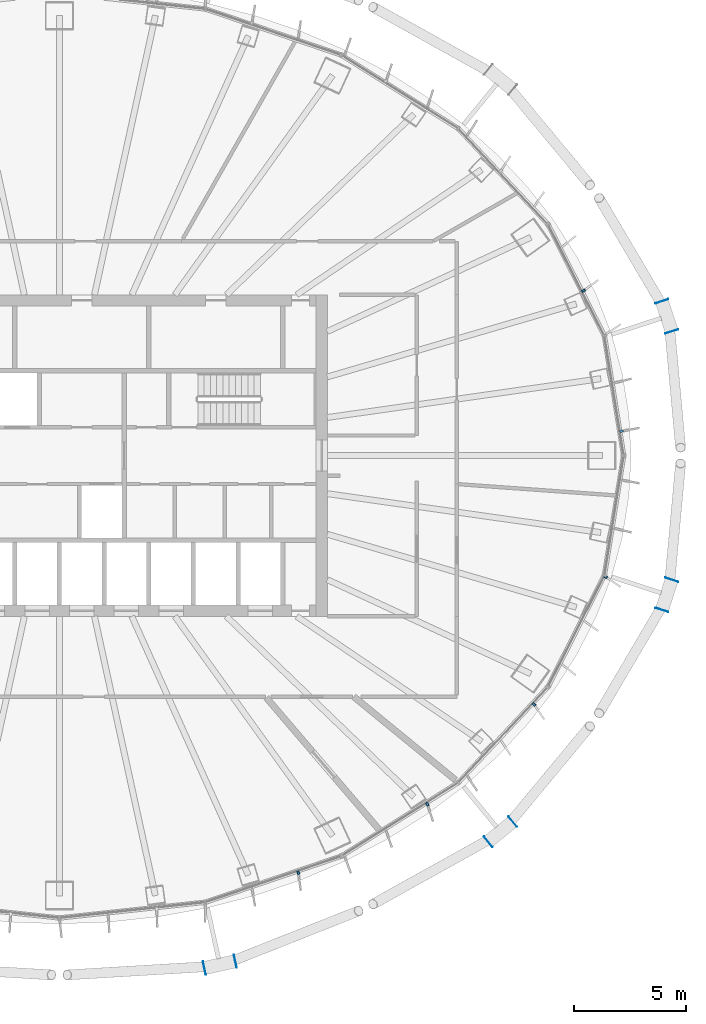
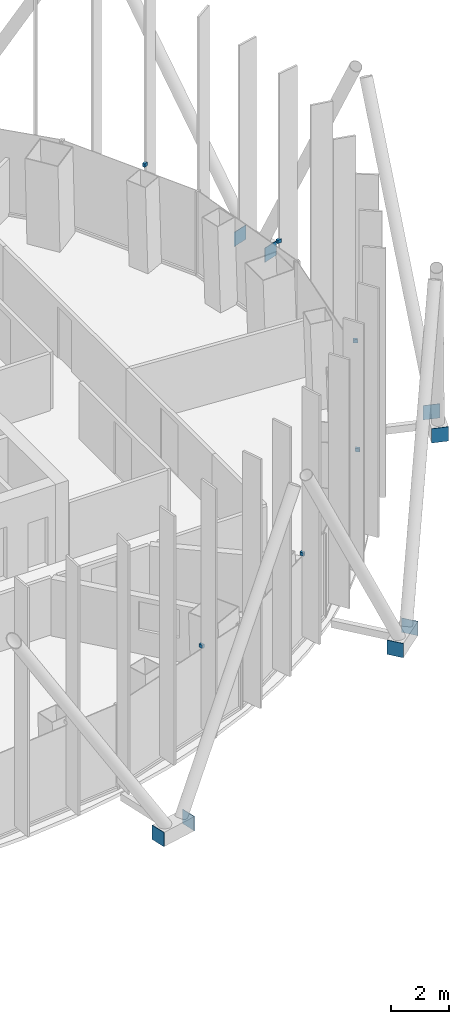
# One storey, part 13 of 19: 14 discrete accessories.
"""IFC4 building model written with IfcOpenShell, lengths in metres."""

from ifc_helpers import new_model, si_unit, direction, frame, origin, origin_2d, place, context, subcontext, project, spatial, rectangle, extrude, material, layer, layer_set, type_object, element, save


model = new_model("IFC4")

# Units and contexts
model_context = context("Model", 3, precision=1e-05, world=origin(), true_north=direction((0.0, 1.0)))
body_context = subcontext(model_context, "Body", "Model", "MODEL_VIEW")
ifc_project = project(units=[si_unit("LENGTHUNIT", "METRE"), si_unit("AREAUNIT", "SQUARE_METRE"), si_unit("VOLUMEUNIT", "CUBIC_METRE"), si_unit("PLANEANGLEUNIT", "RADIAN"), si_unit("MASSUNIT", "GRAM", prefix="KILO")], contexts=[model_context])

# Site, building, storey
site_placement = place(None, origin())
site = spatial("IfcSite", under=ifc_project, at=site_placement, CompositionType="ELEMENT")
building_placement = place(site_placement, origin())
building = spatial("IfcBuilding", under=site, at=building_placement, Name="Siaravel Broadcast Tower", CompositionType="ELEMENT")
storey_placement = place(building_placement, frame((0.0, 0.0, 119.300048828125)))
storey = spatial("IfcBuildingStorey", under=building, at=storey_placement, Name="L28", CompositionType="ELEMENT", Elevation=119.300048828125)

# Discrete accessories
ifc_material_1 = material(Name="Stainless steel 316", Category="steel")
discrete_accessory_type_1 = type_object("IfcDiscreteAccessoryType", Name="Stainless steel fin bracket", PredefinedType="USERDEFINED", material=ifc_material_1)
for number, where, z_axis, x_axis, name in (
    (1, (25.176513671875, 1.0927734375, 3.68505859375), (0.0, 0.0, 1.0), (0.987329198, 0.158685394, 0.0), "Fin bracket L28-01"),
    (2, (23.47607421875, 7.385009765625, 3.68505859375), (0.0, 0.0, 1.0), (0.892392151, 0.451260732, 0.0), "Fin bracket L28-04"),
    (3, (10.6953125, -18.677978515625, 3.68505859375), (0.0, 0.0, 1.0), (0.321300635, -0.946977245, 0.0), "Fin bracket L28-55"),
    (4, (16.47705078125, -15.614013671875, 3.68505859375), (0.0, 0.0, 1.0), (0.532149452, -0.846650436, 0.0), "Fin bracket L28-58"),
    (5, (21.25537109375, -11.145263671875, 3.68505859375), (0.0, 0.0, 1.0), (0.729805608, -0.683654718, 0.0), "Fin bracket L28-61"),
    (6, (24.46337890625, -5.4326171875, 3.68505859375), (0.0, 0.0, 1.0), (0.892392151, -0.451260732, 0.0), "Fin bracket L28-64"),
):
    element("IfcDiscreteAccessory", number, at=place(storey_placement, frame(where, z_axis=z_axis, x_axis=x_axis)), inside=storey, type_object=discrete_accessory_type_1, Name=name, ObjectType="BRACKET", PredefinedType="USERDEFINED", context=body_context, shape_type="SweptSolid", body=[
        extrude(rectangle(XDim=0.159912109375, YDim=0.10009765625, at=origin_2d()), origin(), (0.0, 0.0, 1.0), 0.139892578125),
    ])
ifc_material_2 = material(Name="Steel S355", Category="steel")
ifc_layer = layer(ifc_material_2, 0.02001953125)
ifc_layer_set = layer_set([ifc_layer], Name="Steel S355")
discrete_accessory_type_2 = type_object("IfcDiscreteAccessoryType", Name="Steel end plate 20 mm", PredefinedType="USERDEFINED", material=ifc_layer_set)
for number, where, z_axis, x_axis, name in (
    (7, (26.9833984375, 6.911376953125, -0.5), (0.0, 0.0, 1.0), (-0.310908675, 0.950439791, 0.0), "End plate R12 station 03A"),
    (8, (27.4248046875, 5.56201171875, -0.5), (0.0, 0.0, 1.0), (-0.310908675, 0.950439791, 0.0), "End plate R12 station 03B"),
    (9, (7.877685546875, -22.646240234375, -0.5), (0.0, 0.0, 1.0), (0.976750917, 0.214377344, 0.0), "End plate R12 station 57A"),
    (10, (6.4912109375, -22.95068359375, -0.5), (0.0, 0.0, 1.0), (0.976750917, 0.214377344, 0.0), "End plate R12 station 57B"),
    (11, (20.30224609375, -16.39208984375, -0.5), (0.0, 0.0, 1.0), (0.773604694, 0.633668508, 0.0), "End plate R12 station 63A"),
    (12, (19.2041015625, -17.291748046875, -0.5), (0.0, 0.0, 1.0), (0.773604694, 0.633668508, 0.0), "End plate R12 station 63B"),
    (13, (27.4248046875, -5.56201171875, -0.5), (0.0, 0.0, 1.0), (0.310908675, 0.950439791, 0.0), "End plate R12 station 69A"),
    (14, (26.9833984375, -6.911376953125, -0.5), (0.0, 0.0, 1.0), (0.310908675, 0.950439791, 0.0), "End plate R12 station 69B"),
):
    element("IfcDiscreteAccessory", number, at=place(storey_placement, frame(where, z_axis=z_axis, x_axis=x_axis)), inside=storey, type_object=discrete_accessory_type_2, Name=name, ObjectType="END PLATE", PredefinedType="USERDEFINED", context=body_context, shape_type="SweptSolid", body=[
        extrude(rectangle(XDim=0.02001953125, YDim=0.60009765625, at=origin_2d()), origin(), (0.0, 0.0, 1.0), 0.60009765625),
    ])

save(model, "model.ifc")
